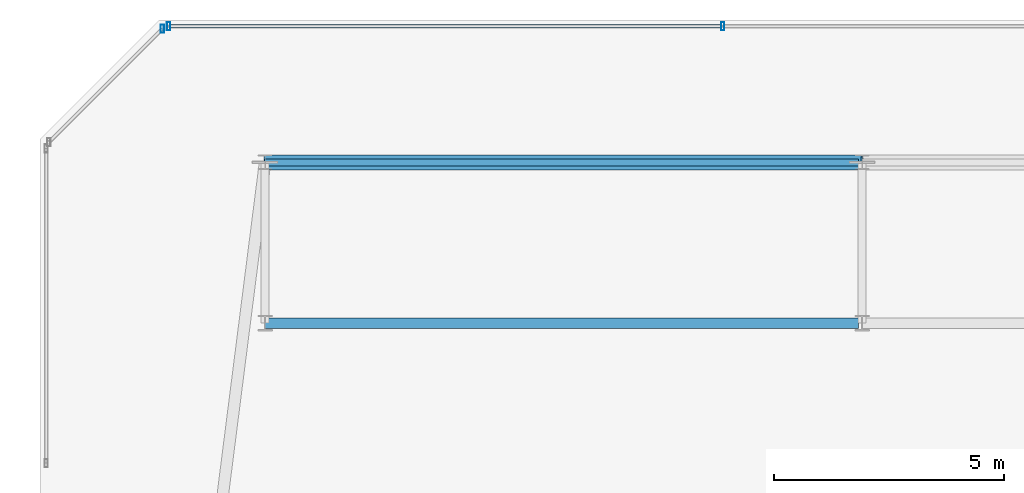
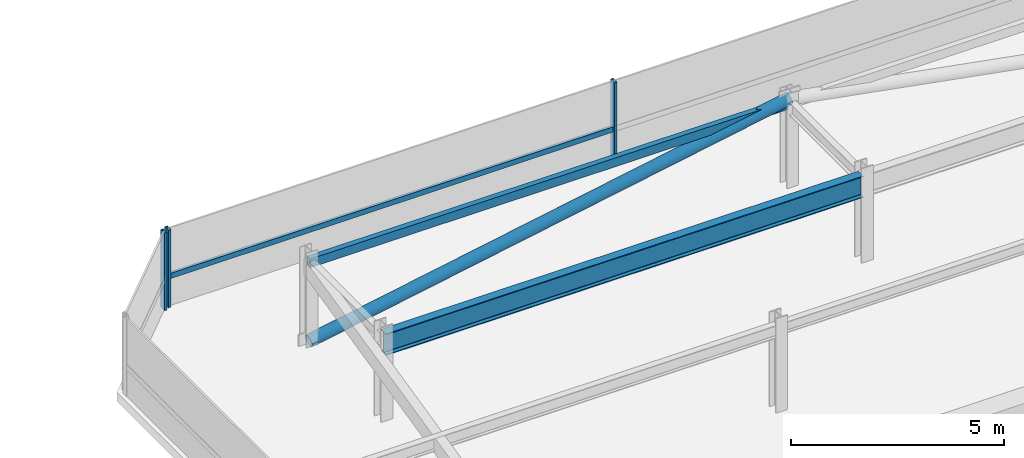
# One storey, part 33 of 42: 5 members, 2 beams, 2 elements without a shape of their own.
"""IFC4 building model written with IfcOpenShell, lengths in metres."""

import ifcopenshell
import ifcopenshell.guid

model = None  # the IFC model being written
_history = None  # IfcOwnerHistory: only IFC2X3 demands one
_inside = {}  # id of a spatial element -> (the spatial element, [elements in it])
_under = {}  # id of a project, library or spatial element -> (it, [spatial elements below it])
_declared = {}  # id of a project -> (the project, [libraries it declares])
_typed = {}  # id of a type object -> (the type object, [elements of that type])
_made_of = {}  # id of a material, layer set ... -> (it, [elements and type objects made of it])


def new_model(schema):
    """Start an empty IFC model of exactly this schema.

    Asked for "IFC4X3", IfcOpenShell would pick the latest addendum, in which some entities
    have other attributes; the version numbers below select the first issue.
    IFC2X3 requires an IfcOwnerHistory on every rooted entity: one is made here for all.
    """
    global model, _history
    if schema == "IFC4X3":
        model = ifcopenshell.file(schema_version=(4, 3, 0, 0))
    else:
        model = ifcopenshell.file(schema=schema)
    _inside.clear()
    _under.clear()
    _declared.clear()
    _typed.clear()
    _made_of.clear()
    _history = None
    if model.schema == "IFC2X3":
        org = make("IfcOrganization", Name="unknown")
        user = make(
            "IfcPersonAndOrganization",
            ThePerson=make("IfcPerson", FamilyName="unknown"),
            TheOrganization=org,
        )
        app = make(
            "IfcApplication",
            ApplicationDeveloper=org,
            Version="unknown",
            ApplicationFullName="unknown",
            ApplicationIdentifier="unknown",
        )
        _history = make(
            "IfcOwnerHistory",
            OwningUser=user,
            OwningApplication=app,
            ChangeAction="ADDED",
            CreationDate=0,
        )
    return model


def make(cls, **values):
    """One entity of the class cls with the attributes given. An attribute that is None is left unset."""
    return model.create_entity(
        cls, **{name: value for name, value in values.items() if value is not None}
    )


def rooted(cls, **values):
    """An entity with a GlobalId (a new one), such as an element, a storey or a relation."""
    return make(cls, GlobalId=ifcopenshell.guid.new(), OwnerHistory=_history, **values)


def si_unit(unit_type, name, prefix=None):
    """IfcSIUnit, for example si_unit("LENGTHUNIT", "METRE", prefix="MILLI")."""
    return make("IfcSIUnit", UnitType=unit_type, Prefix=prefix, Name=name)


def assignment(units):
    """IfcUnitAssignment: the units of a project."""
    return None if units is None else make("IfcUnitAssignment", Units=units)


def point(xyz):
    """IfcCartesianPoint."""
    return None if xyz is None else make("IfcCartesianPoint", Coordinates=xyz)


def direction(xyz):
    """IfcDirection."""
    return None if xyz is None else make("IfcDirection", DirectionRatios=xyz)


def frame(location, z_axis=None, x_axis=None):
    """IfcAxis2Placement3D, a coordinate frame: its origin and axes. An axis left out is left unset."""
    return make(
        "IfcAxis2Placement3D",
        Location=point(location),
        Axis=direction(z_axis),
        RefDirection=direction(x_axis),
    )


def frame_2d(location, x_axis=None):
    """IfcAxis2Placement2D, a coordinate frame in the plane: its origin and x axis."""
    return make(
        "IfcAxis2Placement2D", Location=point(location), RefDirection=direction(x_axis)
    )


def origin():
    """The frame at (0, 0, 0) with its axes left unset."""
    return frame((0.0, 0.0, 0.0))


def origin_2d():
    """The frame at (0, 0) in the plane with its x axis left unset."""
    return frame_2d((0.0, 0.0))


def place(relative_to, where):
    """IfcLocalPlacement: puts the frame where relative to a parent placement (None: the world)."""
    return make(
        "IfcLocalPlacement", PlacementRelTo=relative_to, RelativePlacement=where
    )


def context(
    kind, dimensions, precision=None, world=None, true_north=None, identifier=None
):
    """IfcGeometricRepresentationContext, for example the 3D "Model" context."""
    return make(
        "IfcGeometricRepresentationContext",
        ContextIdentifier=identifier,
        ContextType=kind,
        CoordinateSpaceDimension=dimensions,
        Precision=precision,
        WorldCoordinateSystem=world,
        TrueNorth=true_north,
    )


def subcontext(parent, identifier, kind, view, scale=None):
    """IfcGeometricRepresentationSubContext, for example "Body" below "Model"."""
    return make(
        "IfcGeometricRepresentationSubContext",
        ContextIdentifier=identifier,
        ContextType=kind,
        ParentContext=parent,
        TargetScale=scale,
        TargetView=view,
    )


def project(units=None, contexts=None):
    """IfcProject with its units and contexts."""
    return rooted(
        "IfcProject",
        Name="project",
        RepresentationContexts=contexts,
        UnitsInContext=assignment(units),
    )


def spatial(cls, under=None, at=None, **own):
    """A site, building, storey or space (cls), placed at a placement, below another one or the project."""
    s = rooted(cls, ObjectPlacement=at, **own)
    if under is not None:
        _under.setdefault(under.id(), (under, []))[1].append(s)
    return s


def profile(cls, at=None, kind="AREA", **sizes):
    """A parametric profile (cls). Its sizes go by their IFC names, for example OverallWidth=200.0."""
    return make(cls, ProfileType=kind, Position=at, **sizes)


def hollow_rectangle(**sizes):
    """IfcRectangleHollowProfileDef."""
    return profile("IfcRectangleHollowProfileDef", **sizes)


def hollow_circle(**sizes):
    """IfcCircleHollowProfileDef."""
    return profile("IfcCircleHollowProfileDef", **sizes)


def i_section(**sizes):
    """IfcIShapeProfileDef."""
    return profile("IfcIShapeProfileDef", **sizes)


def extrude(swept, where, along, depth):
    """IfcExtrudedAreaSolid: the profile swept, set in the frame where, extruded along a direction by depth."""
    return make(
        "IfcExtrudedAreaSolid",
        SweptArea=swept,
        Position=where,
        ExtrudedDirection=direction(along),
        Depth=depth,
    )


def shape(context_of_items, identifier, shape_type, items):
    """IfcShapeRepresentation: the items that make up one representation, for example the "Body"."""
    return make(
        "IfcShapeRepresentation",
        ContextOfItems=context_of_items,
        RepresentationIdentifier=identifier,
        RepresentationType=shape_type,
        Items=items,
    )


def material(Name=None, Category=None):
    """IfcMaterial."""
    return make("IfcMaterial", Name=Name, Category=Category)


def material_profile(
    of_material, cross_section, Name=None, Category=None, Priority=None
):
    """IfcMaterialProfile: a cross section and its material."""
    return make(
        "IfcMaterialProfile",
        Name=Name,
        Material=of_material,
        Profile=cross_section,
        Priority=Priority,
        Category=Category,
    )


def profile_set(profiles, Name=None, composite=None):
    """IfcMaterialProfileSet."""
    return make(
        "IfcMaterialProfileSet",
        Name=Name,
        MaterialProfiles=profiles,
        CompositeProfile=composite,
    )


def made_of(thing, what):
    """Note that an element or type object is made of a material, layer set ...; save() writes the relation."""
    if what is not None:
        _made_of.setdefault(what.id(), (what, []))[1].append(thing)
    return thing


def type_object(cls, material=None, **own):
    """A type object (cls), such as IfcWallType, which elements share."""
    return made_of(rooted(cls, **own), material)


def element(
    cls,
    number,
    at=None,
    inside=None,
    cuts=None,
    type_object=None,
    material=None,
    context=None,
    identifier="Body",
    shape_type=None,
    held_by="IfcProductDefinitionShape",
    body=None,
    shapes=None,
    **own,
):
    """One element of the class cls, such as IfcWall. Its Tag is "e" and its number.

    at: its placement. inside: the storey or other place that contains it. cuts: it is an
    opening in that element (IfcRelVoidsElement). A single representation is given by context,
    identifier, shape_type and body (its items); several are given by shapes. held_by: the class
    of the entity that holds the representations. save() writes the other relations.
    """
    e = rooted(cls, Tag="e%d" % number, ObjectPlacement=at, **own)
    if body is not None:
        shapes = [shape(context, identifier, shape_type, body)]
    if shapes is not None:
        e.Representation = make(held_by, Representations=shapes)
    if inside is not None:
        _inside.setdefault(inside.id(), (inside, []))[1].append(e)
    if cuts is not None:
        rooted(
            "IfcRelVoidsElement", RelatingBuildingElement=cuts, RelatedOpeningElement=e
        )
    if type_object is not None:
        _typed.setdefault(type_object.id(), (type_object, []))[1].append(e)
    return made_of(e, material)


def aggregate(whole, parts):
    """IfcRelAggregates: a whole, such as a stair, and the parts it consists of."""
    return rooted("IfcRelAggregates", RelatingObject=whole, RelatedObjects=parts)


def save(model, path):
    """Write the relations noted so far, then the file.

    IfcRelAggregates (storeys below a building ...), IfcRelContainedInSpatialStructure (elements
    in a storey), IfcRelDefinesByType, IfcRelAssociatesMaterial and IfcRelDeclares: one each for
    every whole, place, type object, material and project.
    """
    for whole, parts in _under.values():
        aggregate(whole, parts)
    for where, things in _inside.values():
        rooted(
            "IfcRelContainedInSpatialStructure",
            RelatedElements=things,
            RelatingStructure=where,
        )
    for kind, things in _typed.values():
        rooted("IfcRelDefinesByType", RelatedObjects=things, RelatingType=kind)
    for what, things in _made_of.values():
        rooted("IfcRelAssociatesMaterial", RelatedObjects=things, RelatingMaterial=what)
    for by, libraries in _declared.values():
        rooted("IfcRelDeclares", RelatingContext=by, RelatedDefinitions=libraries)
    model.write(path)


model = new_model("IFC4")

# Units and contexts
model_context = context("Model", 3, precision=1e-05, world=origin(), true_north=direction((0.0, 1.0)))
body_context = subcontext(model_context, "Body", "Model", "MODEL_VIEW")
ifc_project = project(units=[si_unit("LENGTHUNIT", "METRE"), si_unit("AREAUNIT", "SQUARE_METRE"), si_unit("VOLUMEUNIT", "CUBIC_METRE"), si_unit("PLANEANGLEUNIT", "RADIAN"), si_unit("MASSUNIT", "GRAM", prefix="KILO")], contexts=[model_context])

# Site, building, storey
site_placement = place(None, origin())
site = spatial("IfcSite", under=ifc_project, at=site_placement, CompositionType="ELEMENT")
building_placement = place(site_placement, origin())
building = spatial("IfcBuilding", under=site, at=building_placement, Name="Thornwick Lancets Civic Towers", CompositionType="ELEMENT")
storey_placement = place(building_placement, frame((0.0, 0.0, 284.10009765625)))
storey = spatial("IfcBuildingStorey", under=building, at=storey_placement, Name="C02", CompositionType="ELEMENT", Elevation=284.10009765625)

# Beams
ifc_material_1 = material(Name="Steel S355JR", Category="steel")
ifc_material_profile_1 = material_profile(ifc_material_1, hollow_rectangle(XDim=0.14990234375, YDim=0.25, WallThickness=0.012451171875, at=origin_2d()), Name="RHS 250x150x12.5")
ifc_profile_set_1 = profile_set([ifc_material_profile_1], Name="Steel S355JR")
beam_type_1 = type_object("IfcBeamType", Name="BM_CROWN_RHS250", PredefinedType="BEAM", material=ifc_profile_set_1)
beam_1_placement = place(storey_placement, frame((88.419921875, 47.800048828125, 2.31494140625), z_axis=(-1.0, 0.0, 0.0), x_axis=(0.0, -1.0, 0.0)))
element("IfcBeam", 1, at=beam_1_placement, inside=storey, type_object=beam_type_1, Name="BM-EDGE-C02-B-S1-2", PredefinedType="BEAM", context=body_context, shape_type="SweptSolid", body=[
    extrude(hollow_rectangle(XDim=0.14990234375, YDim=0.25, WallThickness=0.012451171875, at=origin_2d()), origin(), (0.0, 0.0, 1.0), 12.919921875),
])
ifc_material_profile_2 = material_profile(ifc_material_1, i_section(OverallWidth=0.230224609375, OverallDepth=0.6171875, WebThickness=0.01318359375, FlangeThickness=0.022216796875, FilletRadius=0.0126953125, at=origin_2d()), Name="UKB 610x229x140")
ifc_profile_set_2 = profile_set([ifc_material_profile_2], Name="Steel S355JR")
beam_type_2 = type_object("IfcBeamType", Name="BM_GIRD_610_140", PredefinedType="BEAM", material=ifc_profile_set_2)
beam_2_placement = place(storey_placement, frame((88.419921875, 44.300048828125, 2.13134765625), z_axis=(-1.0, 0.0, 0.0), x_axis=(0.0, -1.0, 0.0)))
element("IfcBeam", 2, at=beam_2_placement, inside=storey, type_object=beam_type_2, Name="BM-SPINE-C02-B-4-5", PredefinedType="BEAM", context=body_context, shape_type="SweptSolid", body=[
    extrude(i_section(OverallWidth=0.230224609375, OverallDepth=0.6171875, WebThickness=0.01318359375, FlangeThickness=0.022216796875, FilletRadius=0.0126953125, at=origin_2d()), origin(), (0.0, 0.0, 1.0), 12.919921875),
])

# Curtain wall, members
ifc_material_2 = material(Name="Crown ring acoustic-louvre and glazing screen wall", Category="glass")
curtain_wall_type = type_object("IfcCurtainWallType", Name="CW_SYS_07", PredefinedType="NOTDEFINED", material=ifc_material_2)
curtain_wall_1_placement = place(storey_placement, origin())
curtain_wall_1 = element("IfcCurtainWall", 3, at=curtain_wall_1_placement, inside=storey, type_object=curtain_wall_type, Name="C02 Curtain Wall CW-C02-B-E4", PredefinedType="NOTDEFINED")
ifc_material_3 = material(Name="Thermally broken bronze aluminium S355", Category="steel")
ifc_material_profile_3 = material_profile(ifc_material_3, hollow_rectangle(XDim=0.074951171875, YDim=0.179931640625, WallThickness=0.006103515625, at=origin_2d()), Name="RHS 180x75x6")
ifc_profile_set_3 = profile_set([ifc_material_profile_3], Name="Thermally broken bronze aluminium S355")
member_type_1 = type_object("IfcMemberType", Name="CW_MUL_180", PredefinedType="MULLION", material=ifc_profile_set_3)
member_1_placement = place(storey_placement, frame((85.46630859375, 50.7646484375, 0.0), z_axis=(0.0, 0.0, 1.0), x_axis=(1.0, 0.0, 0.0)))
member_1 = element("IfcMember", 4, at=member_1_placement, type_object=member_type_1, Name="CW-C02-B-E4 Mullion 2", PredefinedType="MULLION", context=body_context, shape_type="SweptSolid", body=[
    extrude(hollow_rectangle(XDim=0.074951171875, YDim=0.179931640625, WallThickness=0.006103515625, at=origin_2d()), origin(), (0.0, 0.0, 1.0), 2.219970703125),
])
member_2_placement = place(storey_placement, frame((73.398681640625, 50.7646484375, 0.0), z_axis=(0.0, 0.0, 1.0), x_axis=(1.0, 0.0, 0.0)))
member_2 = element("IfcMember", 5, at=member_2_placement, type_object=member_type_1, Name="CW-C02-B-E4 Mullion 3", PredefinedType="MULLION", context=body_context, shape_type="SweptSolid", body=[
    extrude(hollow_rectangle(XDim=0.074951171875, YDim=0.179931640625, WallThickness=0.006103515625, at=origin_2d()), origin(), (0.0, 0.0, 1.0), 2.219970703125),
])

# Curtain wall, member
curtain_wall_2_placement = place(storey_placement, origin())
curtain_wall_2 = element("IfcCurtainWall", 6, at=curtain_wall_2_placement, inside=storey, type_object=curtain_wall_type, Name="C02 Curtain Wall CW-C02-B-E5", PredefinedType="NOTDEFINED")
member_3_placement = place(storey_placement, frame((73.261962890625, 50.7080078125, 0.0), z_axis=(0.0, 0.0, 1.0), x_axis=(1.0, 0.0, 0.0)))
member_3 = element("IfcMember", 7, at=member_3_placement, type_object=member_type_1, Name="CW-C02-B-E5 Mullion 0", PredefinedType="MULLION", context=body_context, shape_type="SweptSolid", body=[
    extrude(hollow_rectangle(XDim=0.074951171875, YDim=0.179931640625, WallThickness=0.006103515625, at=origin_2d()), origin(), (0.0, 0.0, 1.0), 2.219970703125),
])
aggregate(curtain_wall_2, [member_3])

# Member
ifc_material_profile_4 = material_profile(ifc_material_3, hollow_rectangle(XDim=0.074951171875, YDim=0.14990234375, WallThickness=0.0048828125, at=origin_2d()), Name="RHS 150x75x5")
ifc_profile_set_4 = profile_set([ifc_material_profile_4], Name="Thermally broken bronze aluminium S355")
member_type_2 = type_object("IfcMemberType", Name="CW_TRN_150", PredefinedType="USERDEFINED", material=ifc_profile_set_4)
member_4_placement = place(storey_placement, frame((85.4462890625, 50.7646484375, 0.849853515625), z_axis=(-1.0, 0.0, 0.0), x_axis=(0.0, -1.0, 0.0)))
member_4 = element("IfcMember", 8, at=member_4_placement, type_object=member_type_2, Name="CW-C02-B-E4 Transom 2", ObjectType="TRANSOM", PredefinedType="USERDEFINED", context=body_context, shape_type="SweptSolid", body=[
    extrude(hollow_rectangle(XDim=0.074951171875, YDim=0.14990234375, WallThickness=0.0048828125, at=origin_2d()), origin(), (0.0, 0.0, 1.0), 12.027587890625),
])

aggregate(curtain_wall_1, [member_1, member_2, member_4])

ifc_material_profile_5 = material_profile(ifc_material_1, hollow_circle(Radius=0.161865234375, WallThickness=0.01611328125, at=origin_2d()), Name="CHS 323.9x16")
ifc_profile_set_5 = profile_set([ifc_material_profile_5], Name="Steel S355JR")
member_type_3 = type_object("IfcMemberType", Name="MEM_CROWN_CHS324", PredefinedType="BRACE", material=ifc_profile_set_5)
member_5_placement = place(storey_placement, frame((75.5, 47.800048828125, 0.0498046875), z_axis=(0.983515136313, 0.0, 0.180825818519), x_axis=(0.0, 1.0, 0.0)))
element("IfcMember", 9, at=member_5_placement, inside=storey, type_object=member_type_3, Name="C02 Crown Ring Lancet Rib B-S1-R", PredefinedType="BRACE", context=body_context, shape_type="SweptSolid", body=[
    extrude(hollow_circle(Radius=0.161865234375, WallThickness=0.01611328125, at=origin_2d()), origin(), (0.0, 0.0, 1.0), 13.2177734375),
])

save(model, "model.ifc")
